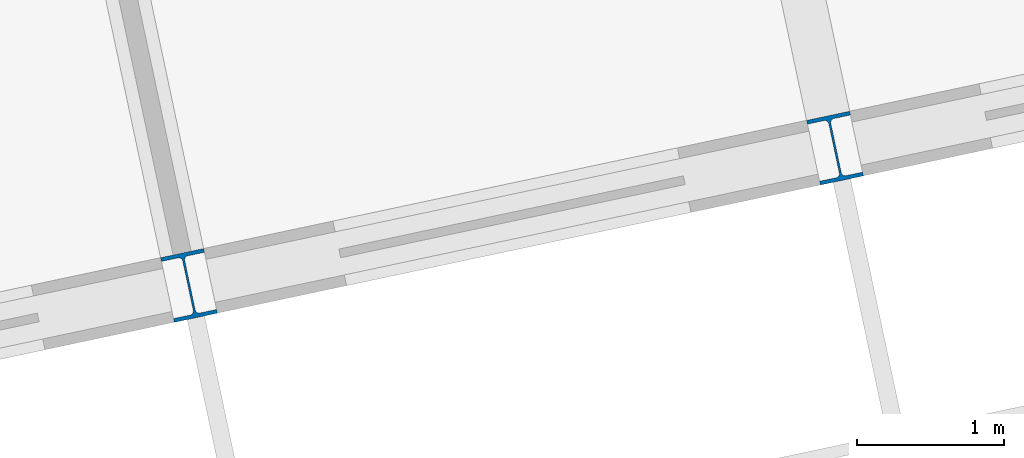
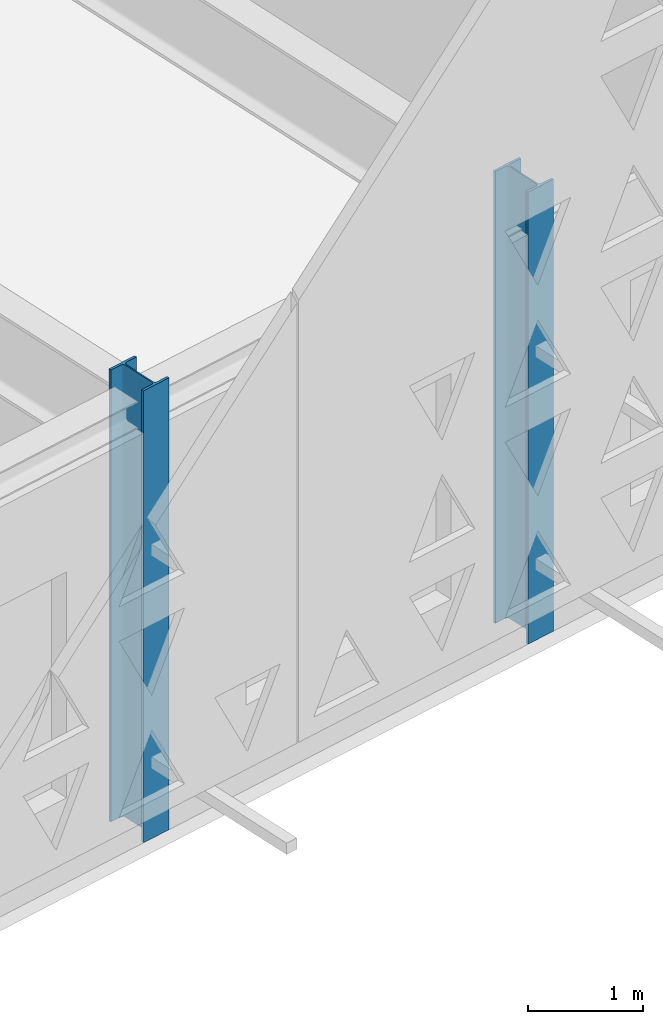
# One storey, part 12 of 196: 2 columns.
"""IFC4 building model written with IfcOpenShell, lengths in metres."""

from ifc_helpers import new_model, si_unit, direction, frame, origin, origin_2d, place, context, subcontext, project, spatial, i_section, extrude, material, material_profile, profile_set, type_object, element, save


model = new_model("IFC4")

# Units and contexts
model_context = context("Model", 3, precision=1e-05, world=origin(), true_north=direction((0.0, 1.0)))
body_context = subcontext(model_context, "Body", "Model", "MODEL_VIEW")
ifc_project = project(units=[si_unit("LENGTHUNIT", "METRE"), si_unit("AREAUNIT", "SQUARE_METRE"), si_unit("VOLUMEUNIT", "CUBIC_METRE"), si_unit("PLANEANGLEUNIT", "RADIAN"), si_unit("MASSUNIT", "GRAM", prefix="KILO")], contexts=[model_context])

# Site, building, storey
site_placement = place(None, origin())
site = spatial("IfcSite", under=ifc_project, at=site_placement, CompositionType="ELEMENT")
building_placement = place(site_placement, origin())
building = spatial("IfcBuilding", under=site, at=building_placement, Name="Okhra Congress Centre", CompositionType="ELEMENT")
storey_placement = place(building_placement, frame((0.0, 0.0, 12.0)))
storey = spatial("IfcBuildingStorey", under=building, at=storey_placement, Name="L02", CompositionType="ELEMENT", Elevation=12.0)

# Columns
ifc_material = material(Name="Steel S355J2", Category="steel")
ifc_material_profile = material_profile(ifc_material, i_section(OverallWidth=0.300048828125, OverallDepth=0.449951171875, WebThickness=0.013916015625, FlangeThickness=0.02587890625, FilletRadius=0.027099609375, at=origin_2d()), Name="HE 450 B")
ifc_profile_set = profile_set([ifc_material_profile], Name="Steel S355J2")
column_type = type_object("IfcColumnType", Name="Steel post HE 450 B", PredefinedType="COLUMN", material=ifc_profile_set)
for number, where, z_axis, x_axis, name in (
    (1, (188.6591796875, 53.941650390625, 0.0), (0.0, 0.0, 1.0), (0.978147600734, 0.207911690818, 0.0), "Post S30"),
    (2, (193.06103515625, 54.877197265625, 0.0), (0.0, 0.0, 1.0), (0.978147600734, 0.207911690818, 0.0), "Post S31"),
):
    element("IfcColumn", number, at=place(storey_placement, frame(where, z_axis=z_axis, x_axis=x_axis)), inside=storey, type_object=column_type, Name=name, PredefinedType="COLUMN", context=body_context, shape_type="SweptSolid", body=[
        extrude(i_section(OverallWidth=0.300048828125, OverallDepth=0.449951171875, WebThickness=0.013916015625, FlangeThickness=0.02587890625, FilletRadius=0.027099609375, at=origin_2d()), origin(), (0.0, 0.0, 1.0), 4.800048828125),
    ])

save(model, "model.ifc")
